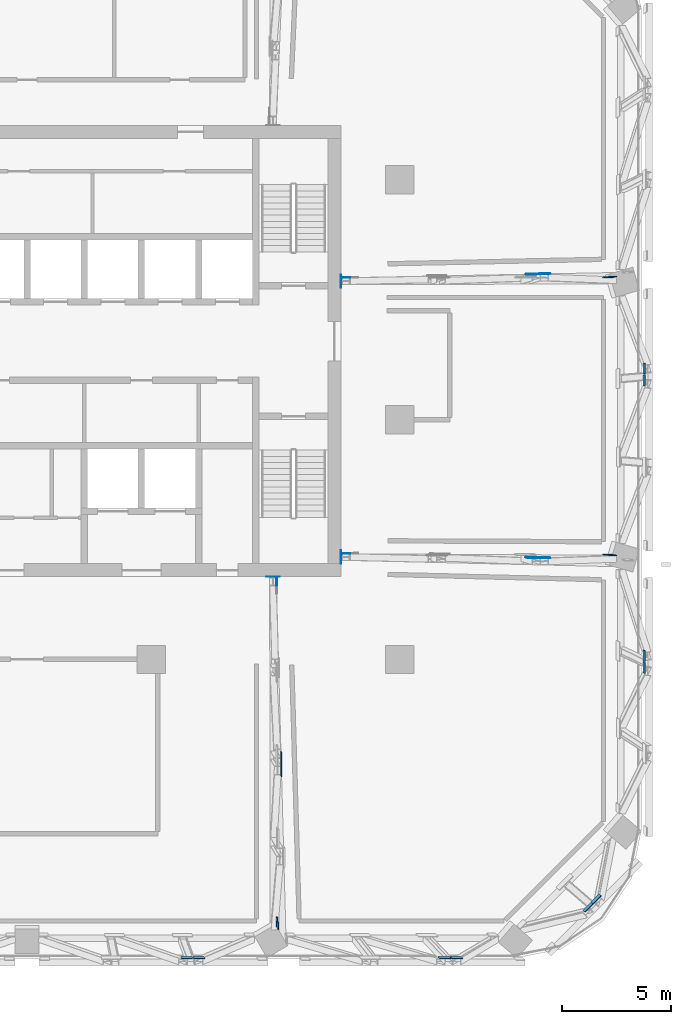
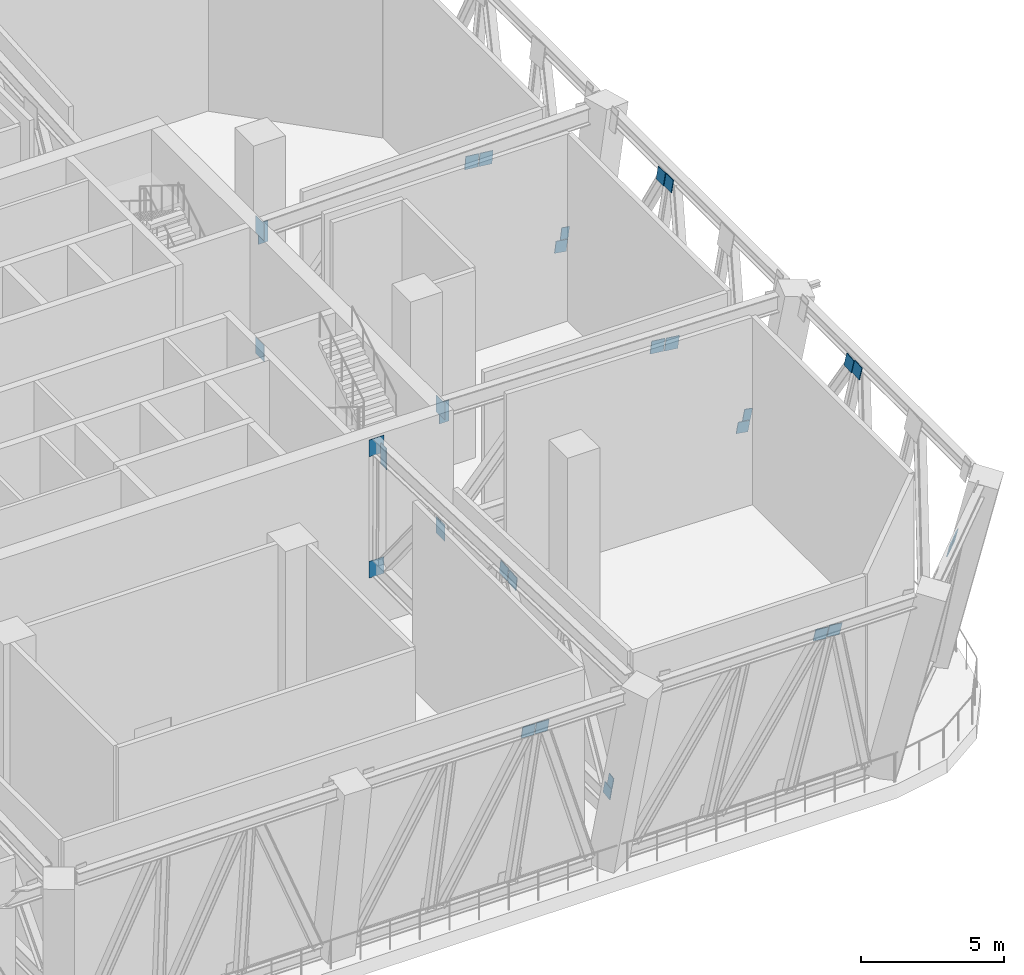
# One storey, part 15 of 24: 31 discrete accessories.
"""IFC4 building model written with IfcOpenShell, lengths in metres."""

from ifc_helpers import new_model, si_unit, direction, frame, origin, origin_2d, place, context, subcontext, project, spatial, rectangle, extrude, material, layer, layer_set, type_object, element, save


model = new_model("IFC4")

# Units and contexts
model_context = context("Model", 3, precision=1e-05, world=origin(), true_north=direction((0.0, 1.0)))
body_context = subcontext(model_context, "Body", "Model", "MODEL_VIEW")
ifc_project = project(units=[si_unit("LENGTHUNIT", "METRE"), si_unit("AREAUNIT", "SQUARE_METRE"), si_unit("VOLUMEUNIT", "CUBIC_METRE"), si_unit("PLANEANGLEUNIT", "RADIAN"), si_unit("MASSUNIT", "GRAM", prefix="KILO")], contexts=[model_context])

# Site, building, storey
site_placement = place(None, origin())
site = spatial("IfcSite", under=ifc_project, at=site_placement, CompositionType="ELEMENT")
building_placement = place(site_placement, origin())
building = spatial("IfcBuilding", under=site, at=building_placement, Name="Mopane Tessera Tower", CompositionType="ELEMENT")
storey_placement = place(building_placement, frame((0.0, 0.0, 259.0)))
storey = spatial("IfcBuildingStorey", under=building, at=storey_placement, Name="L56", CompositionType="ELEMENT", Elevation=259.0)

# Discrete accessories
ifc_material_1 = material(Name="Structural steel S460", Category="steel")
ifc_layer_1 = layer(ifc_material_1, 0.014892578125)
ifc_layer_set_1 = layer_set([ifc_layer_1], Name="Structural steel S460")
discrete_accessory_type_1 = type_object("IfcDiscreteAccessoryType", Name="Cast-in anchor plate 15 mm", PredefinedType="ANCHORPLATE", material=ifc_layer_set_1)
discrete_accessory_1_placement = place(storey_placement, frame((14.407470703125, -6.300048828125, 2.10009765625), z_axis=(0.0, 0.0, 1.0), x_axis=(1.0, 0.0, 0.0)))
element("IfcDiscreteAccessory", 1, at=discrete_accessory_1_placement, inside=storey, type_object=discrete_accessory_type_1, Name="Cast-in anchor plate s ot L56 E1 b", PredefinedType="ANCHORPLATE", context=body_context, shape_type="SweptSolid", body=[
    extrude(rectangle(XDim=0.014892578125, YDim=0.60400390625, at=origin_2d()), origin(), (0.0, 0.0, 1.0), 0.7158203125),
])
discrete_accessory_2_placement = place(storey_placement, frame((14.407470703125, -6.30029296875, 7.283935546875), z_axis=(0.0, 0.0, 1.0), x_axis=(1.0, 0.0, 0.0)))
element("IfcDiscreteAccessory", 2, at=discrete_accessory_2_placement, inside=storey, type_object=discrete_accessory_type_1, Name="Cast-in anchor plate s ot L56 E1 t", PredefinedType="ANCHORPLATE", context=body_context, shape_type="SweptSolid", body=[
    extrude(rectangle(XDim=0.014892578125, YDim=0.60400390625, at=origin_2d()), origin(), (0.0, 0.0, 1.0), 0.716064453125),
])
discrete_accessory_3_placement = place(storey_placement, frame((14.407470703125, 6.354248046875, 2.10009765625), z_axis=(0.0, 0.0, 1.0), x_axis=(1.0, 0.0, 0.0)))
element("IfcDiscreteAccessory", 3, at=discrete_accessory_3_placement, inside=storey, type_object=discrete_accessory_type_1, Name="Cast-in anchor plate s ot L56 E2 b", PredefinedType="ANCHORPLATE", context=body_context, shape_type="SweptSolid", body=[
    extrude(rectangle(XDim=0.014892578125, YDim=0.60400390625, at=origin_2d()), origin(), (0.0, 0.0, 1.0), 0.7158203125),
])
discrete_accessory_4_placement = place(storey_placement, frame((14.407470703125, 6.3544921875, 7.283935546875), z_axis=(0.0, 0.0, 1.0), x_axis=(1.0, 0.0, 0.0)))
element("IfcDiscreteAccessory", 4, at=discrete_accessory_4_placement, inside=storey, type_object=discrete_accessory_type_1, Name="Cast-in anchor plate s ot L56 E2 t", PredefinedType="ANCHORPLATE", context=body_context, shape_type="SweptSolid", body=[
    extrude(rectangle(XDim=0.014892578125, YDim=0.60400390625, at=origin_2d()), origin(), (0.0, 0.0, 1.0), 0.716064453125),
])
discrete_accessory_5_placement = place(storey_placement, frame((11.28125, -7.20751953125, 2.10009765625), z_axis=(0.0, 0.0, 1.0), x_axis=(0.0, -1.0, 0.0)))
element("IfcDiscreteAccessory", 5, at=discrete_accessory_5_placement, inside=storey, type_object=discrete_accessory_type_1, Name="Cast-in anchor plate s ot L56 S3 b", PredefinedType="ANCHORPLATE", context=body_context, shape_type="SweptSolid", body=[
    extrude(rectangle(XDim=0.014892578125, YDim=0.60400390625, at=origin_2d()), origin(), (0.0, 0.0, 1.0), 0.7158203125),
])
discrete_accessory_6_placement = place(storey_placement, frame((11.28173828125, -7.20751953125, 7.283935546875), z_axis=(0.0, 0.0, 1.0), x_axis=(0.0, -1.0, 0.0)))
element("IfcDiscreteAccessory", 6, at=discrete_accessory_6_placement, inside=storey, type_object=discrete_accessory_type_1, Name="Cast-in anchor plate s ot L56 S3 t", PredefinedType="ANCHORPLATE", context=body_context, shape_type="SweptSolid", body=[
    extrude(rectangle(XDim=0.014892578125, YDim=0.60400390625, at=origin_2d()), origin(), (0.0, 0.0, 1.0), 0.716064453125),
])
ifc_material_2 = material(Name="Structural steel S460", Category="steel")
ifc_layer_2 = layer(ifc_material_2, 0.030029296875)
ifc_layer_set_2 = layer_set([ifc_layer_2], Name="Structural steel S460")
discrete_accessory_type_2 = type_object("IfcDiscreteAccessoryType", Name="Truss node plate 30 mm", PredefinedType="BRACKET", material=ifc_layer_set_2)
discrete_accessory_7_placement = place(storey_placement, frame((14.62841796875, -6.1376953125, 6.833984375), z_axis=(0.002984250509, -0.000813886502, 0.999995215907), x_axis=(-0.008182791111, 0.999966169034, 0.000838282477)))
element("IfcDiscreteAccessory", 7, at=discrete_accessory_7_placement, inside=storey, type_object=discrete_accessory_type_2, Name="Truss node plate s ot L56 E1 1", PredefinedType="BRACKET", context=body_context, shape_type="SweptSolid", body=[
    extrude(rectangle(XDim=0.030029296875, YDim=0.389892578125, at=origin_2d()), origin(), (0.0, 0.0, 1.0), 0.89990234375),
])
discrete_accessory_8_placement = place(storey_placement, frame((23.12744140625, -6.31689453125, 6.9521484375), z_axis=(0.107023130416, -0.030578037262, 0.99378621101), x_axis=(0.007092396014, 0.999525011533, 0.029990819246)))
element("IfcDiscreteAccessory", 8, at=discrete_accessory_8_placement, inside=storey, type_object=discrete_accessory_type_2, Name="Truss node plate s ot L56 E1 4", PredefinedType="BRACKET", context=body_context, shape_type="SweptSolid", body=[
    extrude(rectangle(XDim=0.030029296875, YDim=0.539794921875, at=origin_2d()), origin(), (0.0, 0.0, 1.0), 0.54296875),
])
discrete_accessory_9_placement = place(storey_placement, frame((23.701416015625, -6.326904296875, 6.883056640625), z_axis=(0.114068157384, -0.032783368067, 0.992931873921), x_axis=(0.009091749208, 0.999447987117, 0.031954047382)))
element("IfcDiscreteAccessory", 9, at=discrete_accessory_9_placement, inside=storey, type_object=discrete_accessory_type_2, Name="Truss node plate s ot L56 E1 6", PredefinedType="BRACKET", context=body_context, shape_type="SweptSolid", body=[
    extrude(rectangle(XDim=0.030029296875, YDim=0.539794921875, at=origin_2d()), origin(), (0.0, 0.0, 1.0), 0.543701171875),
])
discrete_accessory_10_placement = place(storey_placement, frame((26.647216796875, -6.188720703125, 2.218505859375), z_axis=(0.157864285185, -0.045750477554, 0.986400406157), x_axis=(0.014698894479, 0.998924319574, 0.043978929773)))
element("IfcDiscreteAccessory", 10, at=discrete_accessory_10_placement, inside=storey, type_object=discrete_accessory_type_2, Name="Truss node plate s ot L56 E1 7", PredefinedType="BRACKET", context=body_context, shape_type="SweptSolid", body=[
    extrude(rectangle(XDim=0.030029296875, YDim=0.47900390625, at=origin_2d()), origin(), (0.0, 0.0, 1.0), 0.485595703125),
])
discrete_accessory_11_placement = place(storey_placement, frame((26.811279296875, -6.2119140625, 2.70751953125), z_axis=(0.159334428489, -0.045739536254, 0.986164506926), x_axis=(0.012278366435, 0.998940674039, 0.044348297236)))
element("IfcDiscreteAccessory", 11, at=discrete_accessory_11_placement, inside=storey, type_object=discrete_accessory_type_2, Name="Truss node plate s ot L56 E1 9", PredefinedType="BRACKET", context=body_context, shape_type="SweptSolid", body=[
    extrude(rectangle(XDim=0.030029296875, YDim=0.319091796875, at=origin_2d()), origin(), (0.0, 0.0, 1.0), 0.48583984375),
])
discrete_accessory_12_placement = place(storey_placement, frame((14.626708984375, 6.52490234375, 6.833984375), z_axis=(0.002712957104, 0.000813887131, 0.999995988718), x_axis=(-0.012923816666, 0.999916180735, -0.000778760276)))
element("IfcDiscreteAccessory", 12, at=discrete_accessory_12_placement, inside=storey, type_object=discrete_accessory_type_2, Name="Truss node plate s ot L56 E2 1", PredefinedType="BRACKET", context=body_context, shape_type="SweptSolid", body=[
    extrude(rectangle(XDim=0.030029296875, YDim=0.389892578125, at=origin_2d()), origin(), (0.0, 0.0, 1.0), 0.89990234375),
])
discrete_accessory_13_placement = place(storey_placement, frame((23.125, 6.671142578125, 6.9521484375), z_axis=(0.107021648033, 0.031027284514, 0.99377244602), x_axis=(-0.006921590676, 0.999511987991, -0.03046108081)))
element("IfcDiscreteAccessory", 13, at=discrete_accessory_13_placement, inside=storey, type_object=discrete_accessory_type_2, Name="Truss node plate s ot L56 E2 4", PredefinedType="BRACKET", context=body_context, shape_type="SweptSolid", body=[
    extrude(rectangle(XDim=0.030029296875, YDim=0.539794921875, at=origin_2d()), origin(), (0.0, 0.0, 1.0), 0.54296875),
])
discrete_accessory_14_placement = place(storey_placement, frame((23.69921875, 6.678955078125, 6.883056640625), z_axis=(0.113624879452, 0.032785044269, 0.992982642165), x_axis=(-0.006080198882, 0.999459622874, -0.03230314887)))
element("IfcDiscreteAccessory", 14, at=discrete_accessory_14_placement, inside=storey, type_object=discrete_accessory_type_2, Name="Truss node plate s ot L56 E2 6", PredefinedType="BRACKET", context=body_context, shape_type="SweptSolid", body=[
    extrude(rectangle(XDim=0.030029296875, YDim=0.539794921875, at=origin_2d()), origin(), (0.0, 0.0, 1.0), 0.543701171875),
])
discrete_accessory_15_placement = place(storey_placement, frame((26.64453125, 6.526611328125, 2.218505859375), z_axis=(0.158354450109, 0.045746841143, 0.986322003534), x_axis=(-0.009871776753, 0.998949548252, -0.044747604085)))
element("IfcDiscreteAccessory", 15, at=discrete_accessory_15_placement, inside=storey, type_object=discrete_accessory_type_2, Name="Truss node plate s ot L56 E2 7", PredefinedType="BRACKET", context=body_context, shape_type="SweptSolid", body=[
    extrude(rectangle(XDim=0.030029296875, YDim=0.47900390625, at=origin_2d()), origin(), (0.0, 0.0, 1.0), 0.485595703125),
])
discrete_accessory_16_placement = place(storey_placement, frame((26.808837890625, 6.54931640625, 2.70751953125), z_axis=(0.159334428489, 0.045739536254, 0.986164506926), x_axis=(-0.008280324418, 0.998952902662, -0.044994827371)))
element("IfcDiscreteAccessory", 16, at=discrete_accessory_16_placement, inside=storey, type_object=discrete_accessory_type_2, Name="Truss node plate s ot L56 E2 9", PredefinedType="BRACKET", context=body_context, shape_type="SweptSolid", body=[
    extrude(rectangle(XDim=0.030029296875, YDim=0.319091796875, at=origin_2d()), origin(), (0.0, 0.0, 1.0), 0.48583984375),
])
discrete_accessory_17_placement = place(storey_placement, frame((11.45361328125, -7.4228515625, 6.833984375), z_axis=(0.001085184599, -0.001899073048, 0.999997607945), x_axis=(0.999989180557, -0.004521333272, -0.001093761816)))
element("IfcDiscreteAccessory", 17, at=discrete_accessory_17_placement, inside=storey, type_object=discrete_accessory_type_2, Name="Truss node plate s ot L56 S3 1", PredefinedType="BRACKET", context=body_context, shape_type="SweptSolid", body=[
    extrude(rectangle(XDim=0.030029296875, YDim=0.389892578125, at=origin_2d()), origin(), (0.0, 0.0, 1.0), 0.89990234375),
])
discrete_accessory_18_placement = place(storey_placement, frame((11.6455078125, -15.491455078125, 6.948486328125), z_axis=(0.040574152172, -0.070122719515, 0.996712868575), x_axis=(0.999176151, 0.003716398101, -0.04041296398)))
element("IfcDiscreteAccessory", 18, at=discrete_accessory_18_placement, inside=storey, type_object=discrete_accessory_type_2, Name="Truss node plate s ot L56 S3 4", PredefinedType="BRACKET", context=body_context, shape_type="SweptSolid", body=[
    extrude(rectangle(XDim=0.030029296875, YDim=0.5517578125, at=origin_2d()), origin(), (0.0, 0.0, 1.0), 0.553466796875),
])
discrete_accessory_19_placement = place(storey_placement, frame((11.656982421875, -16.07080078125, 6.888671875), z_axis=(0.043181339478, -0.074906405217, 0.996255189386), x_axis=(0.999066986327, 0.002511794014, -0.043114356337)))
element("IfcDiscreteAccessory", 19, at=discrete_accessory_19_placement, inside=storey, type_object=discrete_accessory_type_2, Name="Truss node plate s ot L56 S3 6", PredefinedType="BRACKET", context=body_context, shape_type="SweptSolid", body=[
    extrude(rectangle(XDim=0.030029296875, YDim=0.5517578125, at=origin_2d()), origin(), (0.0, 0.0, 1.0), 0.553955078125),
])
discrete_accessory_20_placement = place(storey_placement, frame((11.4580078125, -23.029541015625, 2.220703125), z_axis=(0.080232159391, -0.138121185787, 0.987160239595), x_axis=(0.99677302907, 0.013617128412, -0.079108168552)))
element("IfcDiscreteAccessory", 20, at=discrete_accessory_20_placement, inside=storey, type_object=discrete_accessory_type_2, Name="Truss node plate s ot L56 S3 9", PredefinedType="BRACKET", context=body_context, shape_type="SweptSolid", body=[
    extrude(rectangle(XDim=0.030029296875, YDim=0.474609375, at=origin_2d()), origin(), (0.0, 0.0, 1.0), 0.480712890625),
])
discrete_accessory_21_placement = place(storey_placement, frame((11.49755859375, -23.178955078125, 2.705322265625), z_axis=(0.080266752415, -0.138688755754, 0.987077847732), x_axis=(0.996772957506, 0.01212085162, -0.079352102313)))
element("IfcDiscreteAccessory", 21, at=discrete_accessory_21_placement, inside=storey, type_object=discrete_accessory_type_2, Name="Truss node plate s ot L56 S3 11", PredefinedType="BRACKET", context=body_context, shape_type="SweptSolid", body=[
    extrude(rectangle(XDim=0.030029296875, YDim=0.326904296875, at=origin_2d()), origin(), (0.0, 0.0, 1.0), 0.48046875),
])
for number, where, z_axis, x_axis, name in (
    (22, (7.3125, -24.653564453125, 7.201171875), (0.053600141577, -0.147283867289, 0.987640869577), (0.006037302163, 0.989092388894, 0.147172678217), "Truss node plate s bt L56 S2-S3 4"),
    (23, (7.8671875, -24.650390625, 7.180419921875), (0.057316994532, -0.147253416846, 0.987436678155), (0.008531825466, 0.989098797505, 0.147006043171), "Truss node plate s bt L56 S2-S3 6"),
):
    element("IfcDiscreteAccessory", number, at=place(storey_placement, frame(where, z_axis=z_axis, x_axis=x_axis)), inside=storey, type_object=discrete_accessory_type_2, Name=name, PredefinedType="BRACKET", context=body_context, shape_type="SweptSolid", body=[
        extrude(rectangle(XDim=0.030029296875, YDim=0.517333984375, at=origin_2d()), origin(), (0.0, 0.0, 1.0), 0.52392578125),
    ])
discrete_accessory_22_placement = place(storey_placement, frame((19.1181640625, -24.653564453125, 7.201416015625), z_axis=(0.137971471429, -0.145816003249, 0.97964359145), x_axis=(0.020184921302, 0.989311715524, 0.144412251831)))
element("IfcDiscreteAccessory", 24, at=discrete_accessory_22_placement, inside=storey, type_object=discrete_accessory_type_2, Name="Truss node plate s bt L56 S3-S4 4", PredefinedType="BRACKET", context=body_context, shape_type="SweptSolid", body=[
    extrude(rectangle(XDim=0.030029296875, YDim=0.518310546875, at=origin_2d()), origin(), (0.0, 0.0, 1.0), 0.529052734375),
])
discrete_accessory_23_placement = place(storey_placement, frame((19.672119140625, -24.650634765625, 7.18115234375), z_axis=(0.141589954205, -0.145740799768, 0.97913834781), x_axis=(0.021873729321, 0.989322287546, 0.144093550618)))
element("IfcDiscreteAccessory", 25, at=discrete_accessory_23_placement, inside=storey, type_object=discrete_accessory_type_2, Name="Truss node plate s bt L56 S3-S4 6", PredefinedType="BRACKET", context=body_context, shape_type="SweptSolid", body=[
    extrude(rectangle(XDim=0.030029296875, YDim=0.518310546875, at=origin_2d()), origin(), (0.0, 0.0, 1.0), 0.529296875),
])
for number, where, z_axis, x_axis, name in (
    (26, (25.698486328125, -22.328369140625, 7.200439453125), (0.168054568688, -0.144827514479, 0.975080844337), (-0.687073667901, 0.692094466614, 0.221212622064), "Truss node plate s bt L56 S4-E0 2"),
    (27, (26.07275390625, -21.949462890625, 7.18603515625), (0.168054568688, -0.144827514479, 0.975080844337), (-0.687073667901, 0.692094466614, 0.221212622064), "Truss node plate s bt L56 S4-E0 4"),
):
    element("IfcDiscreteAccessory", number, at=place(storey_placement, frame(where, z_axis=z_axis, x_axis=x_axis)), inside=storey, type_object=discrete_accessory_type_2, Name=name, PredefinedType="BRACKET", context=body_context, shape_type="SweptSolid", body=[
        extrude(rectangle(XDim=0.030029296875, YDim=0.522705078125, at=origin_2d()), origin(), (0.0, 0.0, 1.0), 0.5361328125),
    ])
discrete_accessory_24_placement = place(storey_placement, frame((28.27490234375, -11.354736328125, 7.200439453125), z_axis=(0.169479864315, -0.08403179902, 0.981944617759), x_axis=(-0.985532420979, -0.01287710138, 0.168997122637)))
element("IfcDiscreteAccessory", 28, at=discrete_accessory_24_placement, inside=storey, type_object=discrete_accessory_type_2, Name="Truss node plate s bt L56 E0-E1 4", PredefinedType="BRACKET", context=body_context, shape_type="SweptSolid", body=[
    extrude(rectangle(XDim=0.030029296875, YDim=0.5078125, at=origin_2d()), origin(), (0.0, 0.0, 1.0), 0.51708984375),
])
discrete_accessory_25_placement = place(storey_placement, frame((28.270263671875, -10.806396484375, 7.17431640625), z_axis=(0.169617558347, -0.079847819946, 0.982269927031), x_axis=(-0.985509827938, -0.013224119108, 0.169102045262)))
element("IfcDiscreteAccessory", 29, at=discrete_accessory_25_placement, inside=storey, type_object=discrete_accessory_type_2, Name="Truss node plate s bt L56 E0-E1 6", PredefinedType="BRACKET", context=body_context, shape_type="SweptSolid", body=[
    extrude(rectangle(XDim=0.030029296875, YDim=0.5078125, at=origin_2d()), origin(), (0.0, 0.0, 1.0), 0.516845703125),
])
discrete_accessory_26_placement = place(storey_placement, frame((28.27490234375, 1.80322265625, 7.200439453125), z_axis=(0.17000321024, 0.013296340466, 0.985353802367), x_axis=(-0.985443481189, 0.002529361596, 0.169984551393)))
element("IfcDiscreteAccessory", 30, at=discrete_accessory_26_placement, inside=storey, type_object=discrete_accessory_type_2, Name="Truss node plate s bt L56 E1-E2 4", PredefinedType="BRACKET", context=body_context, shape_type="SweptSolid", body=[
    extrude(rectangle(XDim=0.030029296875, YDim=0.506591796875, at=origin_2d()), origin(), (0.0, 0.0, 1.0), 0.51416015625),
])
discrete_accessory_27_placement = place(storey_placement, frame((28.270263671875, 2.34765625, 7.173583984375), z_axis=(0.170071565964, 0.017577228885, 0.985274938012), x_axis=(-0.985430995909, 0.001826752805, 0.170065914504)))
element("IfcDiscreteAccessory", 31, at=discrete_accessory_27_placement, inside=storey, type_object=discrete_accessory_type_2, Name="Truss node plate s bt L56 E1-E2 6", PredefinedType="BRACKET", context=body_context, shape_type="SweptSolid", body=[
    extrude(rectangle(XDim=0.030029296875, YDim=0.506591796875, at=origin_2d()), origin(), (0.0, 0.0, 1.0), 0.513916015625),
])

save(model, "model.ifc")
